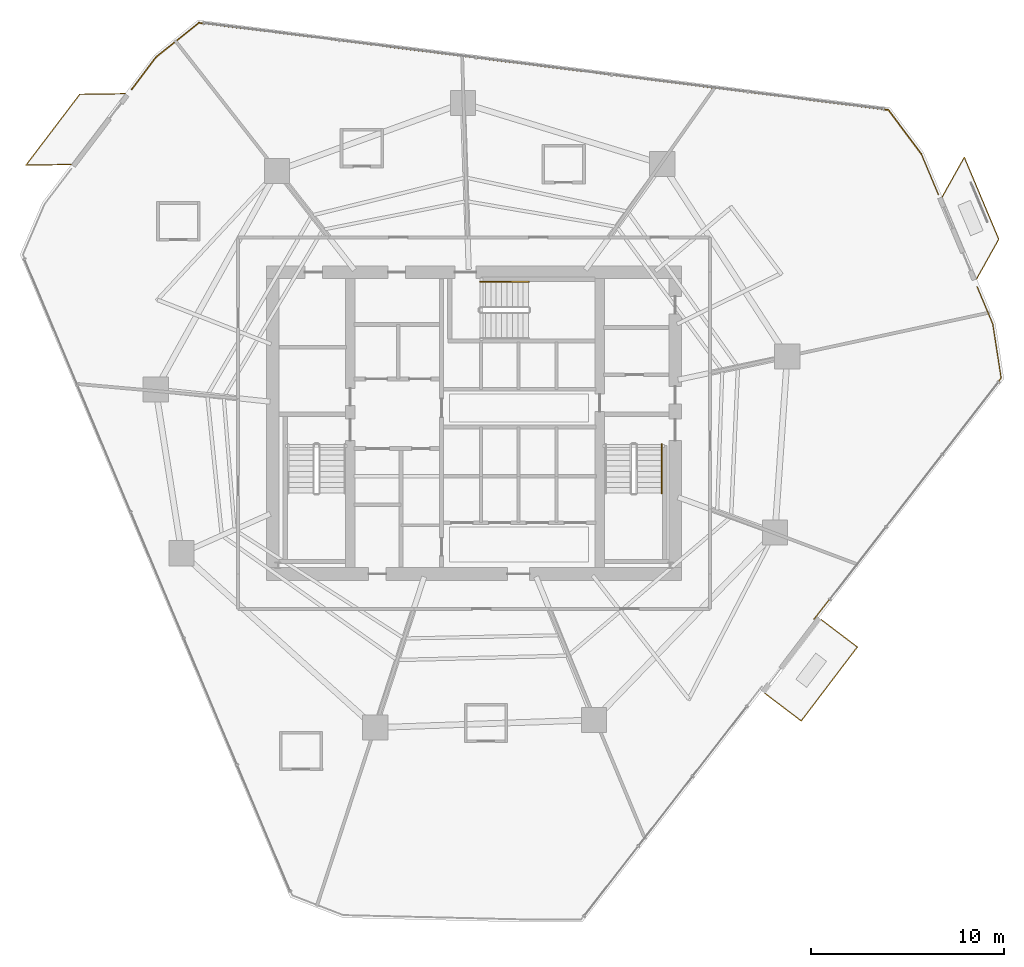
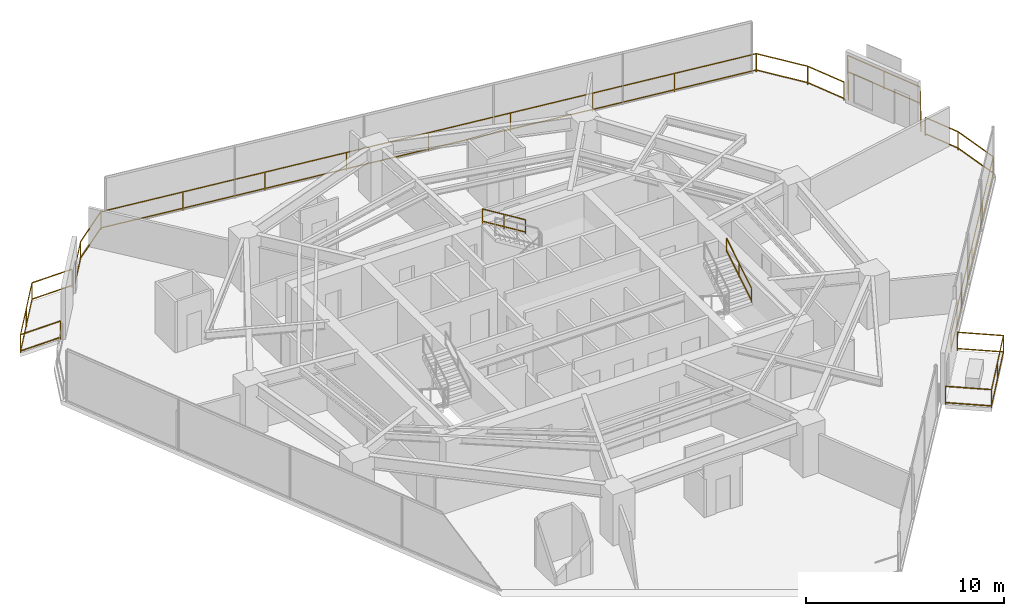
# One storey, part 30 of 30: 8 railings.
"""IFC4 building model written with IfcOpenShell, lengths in metres."""

from ifc_helpers import new_model, si_unit, direction, frame, origin, origin_2d, place, context, subcontext, project, spatial, rectangle, extrude, material, type_object, element, save


model = new_model("IFC4")

# Units and contexts
model_context = context("Model", 3, precision=1e-05, world=origin(), true_north=direction((0.0, 1.0)))
body_context = subcontext(model_context, "Body", "Model", "MODEL_VIEW")
ifc_project = project(units=[si_unit("LENGTHUNIT", "METRE"), si_unit("AREAUNIT", "SQUARE_METRE"), si_unit("VOLUMEUNIT", "CUBIC_METRE"), si_unit("PLANEANGLEUNIT", "RADIAN"), si_unit("MASSUNIT", "GRAM", prefix="KILO")], contexts=[model_context])

# Site, building, storey
site_placement = place(None, origin())
site = spatial("IfcSite", under=ifc_project, at=site_placement, CompositionType="ELEMENT")
building_placement = place(site_placement, origin())
building = spatial("IfcBuilding", under=site, at=building_placement, Name="Qarnah Convention Tower", CompositionType="ELEMENT")
storey_placement = place(building_placement, frame((0.0, 0.0, 40.800048828125)))
storey = spatial("IfcBuildingStorey", under=building, at=storey_placement, Name="L09", CompositionType="ELEMENT", Elevation=40.800048828125)

# Railings
ifc_material_1 = material(Name="Black anodised aluminium", Category="aluminium")
railing_type_1 = type_object("IfcRailingType", Name="RL-EXT-GUARD-1150", PredefinedType="GUARDRAIL", material=ifc_material_1)
railing_1_placement = place(storey_placement, frame((60.31494140625, 40.322021484375, 0.0)))
element("IfcRailing", 1, at=railing_1_placement, inside=storey, type_object=railing_type_1, Name="L09 slab-edge perimeter safety guard 01", PredefinedType="GUARDRAIL", context=body_context, shape_type="SweptSolid", body=[
    extrude(rectangle(XDim=0.048095703125, YDim=0.048095703125, at=origin_2d()), frame((0.0, 0.0, 1.1259765625), z_axis=(0.387268600137, -0.921966936147, 0.0), x_axis=(0.921966936147, 0.387268600137, 0.0)), (0.0, 0.0, 1.0), 2.298583984375),
    extrude(rectangle(XDim=0.048095703125, YDim=0.048095703125, at=origin_2d()), frame((0.0, 0.0, 0.1201171875), z_axis=(0.387268600137, -0.921966936147, 0.0), x_axis=(0.921966936147, 0.387268600137, 0.0)), (0.0, 0.0, 1.0), 2.298583984375),
    extrude(rectangle(XDim=0.0419921875, YDim=0.0419921875, at=origin_2d()), origin(), (0.0, 0.0, 1.0), 1.101806640625),
    extrude(rectangle(XDim=0.0419921875, YDim=0.0419921875, at=origin_2d()), frame((0.89013671875, -2.119140625, 0.0)), (0.0, 0.0, 1.0), 1.101806640625),
])
railing_2_placement = place(storey_placement, frame((63.2041015625, 33.447021484375, 0.0)))
element("IfcRailing", 2, at=railing_2_placement, inside=storey, type_object=railing_type_1, Name="L09 slab-edge perimeter safety guard 02", PredefinedType="GUARDRAIL", context=body_context, shape_type="SweptSolid", body=[
    extrude(rectangle(XDim=0.048095703125, YDim=0.048095703125, at=origin_2d()), frame((0.0, 0.0, 1.1259765625), z_axis=(0.387465386746, -0.921884251994, 0.0), x_axis=(0.921884251994, 0.387465386746, 0.0)), (0.0, 0.0, 1.0), 2.0849609375),
    extrude(rectangle(XDim=0.048095703125, YDim=0.048095703125, at=origin_2d()), frame((0.0, 0.0, 0.1201171875), z_axis=(0.387465386746, -0.921884251994, 0.0), x_axis=(0.921884251994, 0.387465386746, 0.0)), (0.0, 0.0, 1.0), 2.0849609375),
    extrude(rectangle(XDim=0.048095703125, YDim=0.048095703125, at=origin_2d()), frame((0.807861328125, -1.922119140625, 1.1259765625), z_axis=(0.153029432108, -0.988221631472, 0.0), x_axis=(0.988221631472, 0.153029432108, 0.0)), (0.0, 0.0, 1.0), 2.830322265625),
    extrude(rectangle(XDim=0.048095703125, YDim=0.048095703125, at=origin_2d()), frame((0.807861328125, -1.922119140625, 0.1201171875), z_axis=(0.153029432108, -0.988221631472, 0.0), x_axis=(0.988221631472, 0.153029432108, 0.0)), (0.0, 0.0, 1.0), 2.830322265625),
    extrude(rectangle(XDim=0.048095703125, YDim=0.048095703125, at=origin_2d()), frame((1.240966796875, -4.718994140625, 1.1259765625), z_axis=(-0.613048424815, -0.790045333403, 0.0), x_axis=(0.790045333403, -0.613048424815, 0.0)), (0.0, 0.0, 1.0), 15.768798828125),
    extrude(rectangle(XDim=0.048095703125, YDim=0.048095703125, at=origin_2d()), frame((1.240966796875, -4.718994140625, 0.1201171875), z_axis=(-0.613048424815, -0.790045333403, 0.0), x_axis=(0.790045333403, -0.613048424815, 0.0)), (0.0, 0.0, 1.0), 15.768798828125),
    extrude(rectangle(XDim=0.0419921875, YDim=0.0419921875, at=origin_2d()), origin(), (0.0, 0.0, 1.0), 1.101806640625),
    extrude(rectangle(XDim=0.0419921875, YDim=0.0419921875, at=origin_2d()), frame((0.807861328125, -1.922119140625, 0.0)), (0.0, 0.0, 1.0), 1.101806640625),
    extrude(rectangle(XDim=0.0419921875, YDim=0.0419921875, at=origin_2d()), frame((1.240966796875, -4.718994140625, 0.0)), (0.0, 0.0, 1.0), 1.101806640625),
    extrude(rectangle(XDim=0.0419921875, YDim=0.0419921875, at=origin_2d()), frame((-1.17578125, -7.83349609375, 0.0)), (0.0, 0.0, 1.0), 1.101806640625),
    extrude(rectangle(XDim=0.0419921875, YDim=0.0419921875, at=origin_2d()), frame((-3.592529296875, -10.947998046875, 0.0)), (0.0, 0.0, 1.0), 1.101806640625),
    extrude(rectangle(XDim=0.0419921875, YDim=0.0419921875, at=origin_2d()), frame((-6.00927734375, -14.0625, 0.0)), (0.0, 0.0, 1.0), 1.101806640625),
    extrude(rectangle(XDim=0.0419921875, YDim=0.0419921875, at=origin_2d()), frame((-8.426025390625, -17.177001953125, 0.0)), (0.0, 0.0, 1.0), 1.101806640625),
])
railing_3_placement = place(storey_placement, frame((19.5, 43.656982421875, 0.0)))
element("IfcRailing", 3, at=railing_3_placement, inside=storey, type_object=railing_type_1, Name="L09 slab-edge perimeter safety guard 04", PredefinedType="GUARDRAIL", context=body_context, shape_type="SweptSolid", body=[
    extrude(rectangle(XDim=0.048095703125, YDim=0.048095703125, at=origin_2d()), frame((0.0, 0.0, 1.1259765625), z_axis=(0.6044095319, 0.796673783771, 0.0), x_axis=(-0.796673783771, 0.6044095319, 0.0)), (0.0, 0.0, 1.0), 2.08642578125),
    extrude(rectangle(XDim=0.048095703125, YDim=0.048095703125, at=origin_2d()), frame((0.0, 0.0, 0.1201171875), z_axis=(0.6044095319, 0.796673783771, 0.0), x_axis=(-0.796673783771, 0.6044095319, 0.0)), (0.0, 0.0, 1.0), 2.08642578125),
    extrude(rectangle(XDim=0.048095703125, YDim=0.048095703125, at=origin_2d()), frame((1.260986328125, 1.662109375, 1.1259765625), z_axis=(0.779301344775, 0.626649354928, 0.0), x_axis=(-0.626649354928, 0.779301344775, 0.0)), (0.0, 0.0, 1.0), 2.830810546875),
    extrude(rectangle(XDim=0.048095703125, YDim=0.048095703125, at=origin_2d()), frame((1.260986328125, 1.662109375, 0.1201171875), z_axis=(0.779301344775, 0.626649354928, 0.0), x_axis=(-0.626649354928, 0.779301344775, 0.0)), (0.0, 0.0, 1.0), 2.830810546875),
    extrude(rectangle(XDim=0.048095703125, YDim=0.048095703125, at=origin_2d()), frame((3.467041015625, 3.43603515625, 1.1259765625), z_axis=(0.992114599208, -0.125334041815, 0.0), x_axis=(0.125334041815, 0.992114599208, 0.0)), (0.0, 0.0, 1.0), 35.935302734375),
    extrude(rectangle(XDim=0.048095703125, YDim=0.048095703125, at=origin_2d()), frame((3.467041015625, 3.43603515625, 0.1201171875), z_axis=(0.992114599208, -0.125334041815, 0.0), x_axis=(0.125334041815, 0.992114599208, 0.0)), (0.0, 0.0, 1.0), 35.935302734375),
    extrude(rectangle(XDim=0.048095703125, YDim=0.048095703125, at=origin_2d()), frame((39.118896484375, -1.06787109375, 1.1259765625), z_axis=(0.59903379649, -0.800723741788, 0.0), x_axis=(0.800723741788, 0.59903379649, 0.0)), (0.0, 0.0, 1.0), 2.831298828125),
    extrude(rectangle(XDim=0.048095703125, YDim=0.048095703125, at=origin_2d()), frame((39.118896484375, -1.06787109375, 0.1201171875), z_axis=(0.59903379649, -0.800723741788, 0.0), x_axis=(0.800723741788, 0.59903379649, 0.0)), (0.0, 0.0, 1.0), 2.831298828125),
    extrude(rectangle(XDim=0.0419921875, YDim=0.0419921875, at=origin_2d()), origin(), (0.0, 0.0, 1.0), 1.101806640625),
    extrude(rectangle(XDim=0.0419921875, YDim=0.0419921875, at=origin_2d()), frame((1.260986328125, 1.662109375, 0.0)), (0.0, 0.0, 1.0), 1.101806640625),
    extrude(rectangle(XDim=0.0419921875, YDim=0.0419921875, at=origin_2d()), frame((3.467041015625, 3.43603515625, 0.0)), (0.0, 0.0, 1.0), 1.101806640625),
    extrude(rectangle(XDim=0.0419921875, YDim=0.0419921875, at=origin_2d()), frame((7.923583984375, 2.873046875, 0.0)), (0.0, 0.0, 1.0), 1.101806640625),
    extrude(rectangle(XDim=0.0419921875, YDim=0.0419921875, at=origin_2d()), frame((12.3798828125, 2.31005859375, 0.0)), (0.0, 0.0, 1.0), 1.101806640625),
    extrude(rectangle(XDim=0.0419921875, YDim=0.0419921875, at=origin_2d()), frame((16.83642578125, 1.7470703125, 0.0)), (0.0, 0.0, 1.0), 1.101806640625),
    extrude(rectangle(XDim=0.0419921875, YDim=0.0419921875, at=origin_2d()), frame((21.29296875, 1.18408203125, 0.0)), (0.0, 0.0, 1.0), 1.101806640625),
    extrude(rectangle(XDim=0.0419921875, YDim=0.0419921875, at=origin_2d()), frame((25.74951171875, 0.62109375, 0.0)), (0.0, 0.0, 1.0), 1.101806640625),
    extrude(rectangle(XDim=0.0419921875, YDim=0.0419921875, at=origin_2d()), frame((30.2060546875, 0.05810546875, 0.0)), (0.0, 0.0, 1.0), 1.101806640625),
    extrude(rectangle(XDim=0.0419921875, YDim=0.0419921875, at=origin_2d()), frame((34.662353515625, -0.5048828125, 0.0)), (0.0, 0.0, 1.0), 1.101806640625),
    extrude(rectangle(XDim=0.0419921875, YDim=0.0419921875, at=origin_2d()), frame((39.118896484375, -1.06787109375, 0.0)), (0.0, 0.0, 1.0), 1.101806640625),
    extrude(rectangle(XDim=0.0419921875, YDim=0.0419921875, at=origin_2d()), frame((40.81494140625, -3.3349609375, 0.0)), (0.0, 0.0, 1.0), 1.101806640625),
])
railing_4_placement = place(storey_placement, frame((61.39697265625, 38.095947265625, 0.0)))
element("IfcRailing", 4, at=railing_4_placement, inside=storey, type_object=railing_type_1, Name="L09 balcony safety guard BAL-L09-C1", PredefinedType="GUARDRAIL", context=body_context, shape_type="SweptSolid", body=[
    extrude(rectangle(XDim=0.048095703125, YDim=0.048095703125, at=origin_2d()), frame((0.0, 0.0, 1.1259765625), z_axis=(0.487805039659, 0.872952600823, 0.0), x_axis=(-0.872952600823, 0.487805039659, 0.0)), (0.0, 0.0, 1.0), 2.34716796875),
    extrude(rectangle(XDim=0.048095703125, YDim=0.048095703125, at=origin_2d()), frame((0.0, 0.0, 0.1201171875), z_axis=(0.487805039659, 0.872952600823, 0.0), x_axis=(-0.872952600823, 0.487805039659, 0.0)), (0.0, 0.0, 1.0), 2.34716796875),
    extrude(rectangle(XDim=0.048095703125, YDim=0.048095703125, at=origin_2d()), frame((1.14501953125, 2.049072265625, 1.1259765625), z_axis=(0.387632206043, -0.921814120546, 0.0), x_axis=(0.921814120546, 0.387632206043, 0.0)), (0.0, 0.0, 1.0), 4.599609375),
    extrude(rectangle(XDim=0.048095703125, YDim=0.048095703125, at=origin_2d()), frame((1.14501953125, 2.049072265625, 0.1201171875), z_axis=(0.387632206043, -0.921814120546, 0.0), x_axis=(0.921814120546, 0.387632206043, 0.0)), (0.0, 0.0, 1.0), 4.599609375),
    extrude(rectangle(XDim=0.048095703125, YDim=0.048095703125, at=origin_2d()), frame((2.927978515625, -2.19091796875, 1.1259765625), z_axis=(-0.487627932023, -0.873051544819, 0.0), x_axis=(0.873051544819, -0.487627932023, 0.0)), (0.0, 0.0, 1.0), 2.34814453125),
    extrude(rectangle(XDim=0.048095703125, YDim=0.048095703125, at=origin_2d()), frame((2.927978515625, -2.19091796875, 0.1201171875), z_axis=(-0.487627932023, -0.873051544819, 0.0), x_axis=(0.873051544819, -0.487627932023, 0.0)), (0.0, 0.0, 1.0), 2.34814453125),
    extrude(rectangle(XDim=0.0419921875, YDim=0.0419921875, at=origin_2d()), origin(), (0.0, 0.0, 1.0), 1.101806640625),
    extrude(rectangle(XDim=0.0419921875, YDim=0.0419921875, at=origin_2d()), frame((1.14501953125, 2.049072265625, 0.0)), (0.0, 0.0, 1.0), 1.101806640625),
    extrude(rectangle(XDim=0.0419921875, YDim=0.0419921875, at=origin_2d()), frame((2.03662109375, -0.07080078125, 0.0)), (0.0, 0.0, 1.0), 1.101806640625),
    extrude(rectangle(XDim=0.0419921875, YDim=0.0419921875, at=origin_2d()), frame((2.927978515625, -2.19091796875, 0.0)), (0.0, 0.0, 1.0), 1.101806640625),
    extrude(rectangle(XDim=0.0419921875, YDim=0.0419921875, at=origin_2d()), frame((1.782958984375, -4.240966796875, 0.0)), (0.0, 0.0, 1.0), 1.101806640625),
])
railing_5_placement = place(storey_placement, frame((16.3779296875, 39.76806640625, 0.0)))
element("IfcRailing", 5, at=railing_5_placement, inside=storey, type_object=railing_type_1, Name="L09 balcony safety guard BAL-L09-C2", PredefinedType="GUARDRAIL", context=body_context, shape_type="SweptSolid", body=[
    extrude(rectangle(XDim=0.048095703125, YDim=0.048095703125, at=origin_2d()), frame((0.0, 0.0, 1.1259765625), z_axis=(-0.999901404879, -0.014042098165, 0.0), x_axis=(0.014042098165, -0.999901404879, 0.0)), (0.0, 0.0, 1.0), 2.34716796875),
    extrude(rectangle(XDim=0.048095703125, YDim=0.048095703125, at=origin_2d()), frame((0.0, 0.0, 0.1201171875), z_axis=(-0.999901404879, -0.014042098165, 0.0), x_axis=(0.014042098165, -0.999901404879, 0.0)), (0.0, 0.0, 1.0), 2.34716796875),
    extrude(rectangle(XDim=0.048095703125, YDim=0.048095703125, at=origin_2d()), frame((-2.346923828125, -0.032958984375, 1.1259765625), z_axis=(0.604601371611, 0.796528205054, 0.0), x_axis=(-0.796528205054, 0.604601371611, 0.0)), (0.0, 0.0, 1.0), 4.599853515625),
    extrude(rectangle(XDim=0.048095703125, YDim=0.048095703125, at=origin_2d()), frame((-2.346923828125, -0.032958984375, 0.1201171875), z_axis=(0.604601371611, 0.796528205054, 0.0), x_axis=(-0.796528205054, 0.604601371611, 0.0)), (0.0, 0.0, 1.0), 4.599853515625),
    extrude(rectangle(XDim=0.048095703125, YDim=0.048095703125, at=origin_2d()), frame((0.43408203125, 3.630859375, 1.1259765625), z_axis=(0.999901404879, 0.014042098165, 0.0), x_axis=(-0.014042098165, 0.999901404879, 0.0)), (0.0, 0.0, 1.0), 2.34716796875),
    extrude(rectangle(XDim=0.048095703125, YDim=0.048095703125, at=origin_2d()), frame((0.43408203125, 3.630859375, 0.1201171875), z_axis=(0.999901404879, 0.014042098165, 0.0), x_axis=(-0.014042098165, 0.999901404879, 0.0)), (0.0, 0.0, 1.0), 2.34716796875),
    extrude(rectangle(XDim=0.0419921875, YDim=0.0419921875, at=origin_2d()), origin(), (0.0, 0.0, 1.0), 1.101806640625),
    extrude(rectangle(XDim=0.0419921875, YDim=0.0419921875, at=origin_2d()), frame((-2.346923828125, -0.032958984375, 0.0)), (0.0, 0.0, 1.0), 1.101806640625),
    extrude(rectangle(XDim=0.0419921875, YDim=0.0419921875, at=origin_2d()), frame((-0.95654296875, 1.798828125, 0.0)), (0.0, 0.0, 1.0), 1.101806640625),
    extrude(rectangle(XDim=0.0419921875, YDim=0.0419921875, at=origin_2d()), frame((0.43408203125, 3.630859375, 0.0)), (0.0, 0.0, 1.0), 1.101806640625),
    extrude(rectangle(XDim=0.0419921875, YDim=0.0419921875, at=origin_2d()), frame((2.781005859375, 3.663818359375, 0.0)), (0.0, 0.0, 1.0), 1.101806640625),
])
railing_6_placement = place(storey_placement, frame((55.14208984375, 16.2451171875, 0.0)))
element("IfcRailing", 6, at=railing_6_placement, inside=storey, type_object=railing_type_1, Name="L09 balcony safety guard VN-L09", PredefinedType="GUARDRAIL", context=body_context, shape_type="SweptSolid", body=[
    extrude(rectangle(XDim=0.048095703125, YDim=0.048095703125, at=origin_2d()), frame((0.0, 0.0, 1.1259765625), z_axis=(0.796458360735, -0.604693376527, 0.0), x_axis=(0.604693376527, 0.796458360735, 0.0)), (0.0, 0.0, 1.0), 2.35009765625),
    extrude(rectangle(XDim=0.048095703125, YDim=0.048095703125, at=origin_2d()), frame((0.0, 0.0, 0.1201171875), z_axis=(0.796458360735, -0.604693376527, 0.0), x_axis=(0.604693376527, 0.796458360735, 0.0)), (0.0, 0.0, 1.0), 2.35009765625),
    extrude(rectangle(XDim=0.048095703125, YDim=0.048095703125, at=origin_2d()), frame((1.871826171875, -1.421142578125, 1.1259765625), z_axis=(-0.604604668358, -0.796525702661, 0.0), x_axis=(0.796525702661, -0.604604668358, 0.0)), (0.0, 0.0, 1.0), 4.799560546875),
    extrude(rectangle(XDim=0.048095703125, YDim=0.048095703125, at=origin_2d()), frame((1.871826171875, -1.421142578125, 0.1201171875), z_axis=(-0.604604668358, -0.796525702661, 0.0), x_axis=(0.796525702661, -0.604604668358, 0.0)), (0.0, 0.0, 1.0), 4.799560546875),
    extrude(rectangle(XDim=0.048095703125, YDim=0.048095703125, at=origin_2d()), frame((-1.030029296875, -5.244140625, 1.1259765625), z_axis=(-0.796496340663, 0.604643348852, 0.0), x_axis=(-0.604643348852, -0.796496340663, 0.0)), (0.0, 0.0, 1.0), 2.350341796875),
    extrude(rectangle(XDim=0.048095703125, YDim=0.048095703125, at=origin_2d()), frame((-1.030029296875, -5.244140625, 0.1201171875), z_axis=(-0.796496340663, 0.604643348852, 0.0), x_axis=(-0.604643348852, -0.796496340663, 0.0)), (0.0, 0.0, 1.0), 2.350341796875),
    extrude(rectangle(XDim=0.0419921875, YDim=0.0419921875, at=origin_2d()), origin(), (0.0, 0.0, 1.0), 1.101806640625),
    extrude(rectangle(XDim=0.0419921875, YDim=0.0419921875, at=origin_2d()), frame((1.871826171875, -1.421142578125, 0.0)), (0.0, 0.0, 1.0), 1.101806640625),
    extrude(rectangle(XDim=0.0419921875, YDim=0.0419921875, at=origin_2d()), frame((0.4208984375, -3.33251953125, 0.0)), (0.0, 0.0, 1.0), 1.101806640625),
    extrude(rectangle(XDim=0.0419921875, YDim=0.0419921875, at=origin_2d()), frame((-1.030029296875, -5.244140625, 0.0)), (0.0, 0.0, 1.0), 1.101806640625),
    extrude(rectangle(XDim=0.0419921875, YDim=0.0419921875, at=origin_2d()), frame((-2.902099609375, -3.822998046875, 0.0)), (0.0, 0.0, 1.0), 1.101806640625),
])
ifc_material_2 = material(Name="Structural steel S355JR", Category="steel")
railing_type_2 = type_object("IfcRailingType", Name="RL-STAIR-HAND-900", PredefinedType="HANDRAIL", material=ifc_material_2)
railing_7_placement = place(storey_placement, frame((46.89990234375, 22.780029296875, 1.8974609375)))
element("IfcRailing", 7, at=railing_7_placement, inside=storey, type_object=railing_type_2, Name="L09 ST-2 stair handrail 2", PredefinedType="HANDRAIL", context=body_context, shape_type="SweptSolid", body=[
    extrude(rectangle(XDim=0.048095703125, YDim=0.048095703125, at=origin_2d()), frame((0.0, 0.0, 0.8759765625), z_axis=(0.0, 0.851400495292, 0.524516154772), x_axis=(-1.0, 0.0, 0.0)), (0.0, 0.0, 1.0), 2.9599609375),
    extrude(rectangle(XDim=0.048095703125, YDim=0.048095703125, at=origin_2d()), frame((0.0, 0.0, 0.1201171875), z_axis=(0.0, 0.851400495292, 0.524516154772), x_axis=(-1.0, 0.0, 0.0)), (0.0, 0.0, 1.0), 2.9599609375),
    extrude(rectangle(XDim=0.0419921875, YDim=0.0419921875, at=origin_2d()), origin(), (0.0, 0.0, 1.0), 0.851806640625),
    extrude(rectangle(XDim=0.0419921875, YDim=0.0419921875, at=origin_2d()), frame((0.0, 1.260009765625, 0.7763671875)), (0.0, 0.0, 1.0), 0.851806640625),
    extrude(rectangle(XDim=0.0419921875, YDim=0.0419921875, at=origin_2d()), frame((0.0, 2.52001953125, 1.552490234375)), (0.0, 0.0, 1.0), 0.851806640625),
])
railing_8_placement = place(storey_placement, frame((40.02001953125, 33.699951171875, 1.8974609375)))
element("IfcRailing", 8, at=railing_8_placement, inside=storey, type_object=railing_type_2, Name="L09 ST-3 stair handrail 2", PredefinedType="HANDRAIL", context=body_context, shape_type="SweptSolid", body=[
    extrude(rectangle(XDim=0.048095703125, YDim=0.048095703125, at=origin_2d()), frame((0.0, 0.0, 0.8759765625), z_axis=(-0.851400495292, 0.0, 0.524516154772), x_axis=(0.0, -1.0, 0.0)), (0.0, 0.0, 1.0), 2.9599609375),
    extrude(rectangle(XDim=0.048095703125, YDim=0.048095703125, at=origin_2d()), frame((0.0, 0.0, 0.1201171875), z_axis=(-0.851400495292, 0.0, 0.524516154772), x_axis=(0.0, -1.0, 0.0)), (0.0, 0.0, 1.0), 2.9599609375),
    extrude(rectangle(XDim=0.0419921875, YDim=0.0419921875, at=origin_2d()), origin(), (0.0, 0.0, 1.0), 0.851806640625),
    extrude(rectangle(XDim=0.0419921875, YDim=0.0419921875, at=origin_2d()), frame((-1.260009765625, 0.0, 0.7763671875)), (0.0, 0.0, 1.0), 0.851806640625),
    extrude(rectangle(XDim=0.0419921875, YDim=0.0419921875, at=origin_2d()), frame((-2.52001953125, 0.0, 1.552490234375)), (0.0, 0.0, 1.0), 0.851806640625),
])

save(model, "model.ifc")
